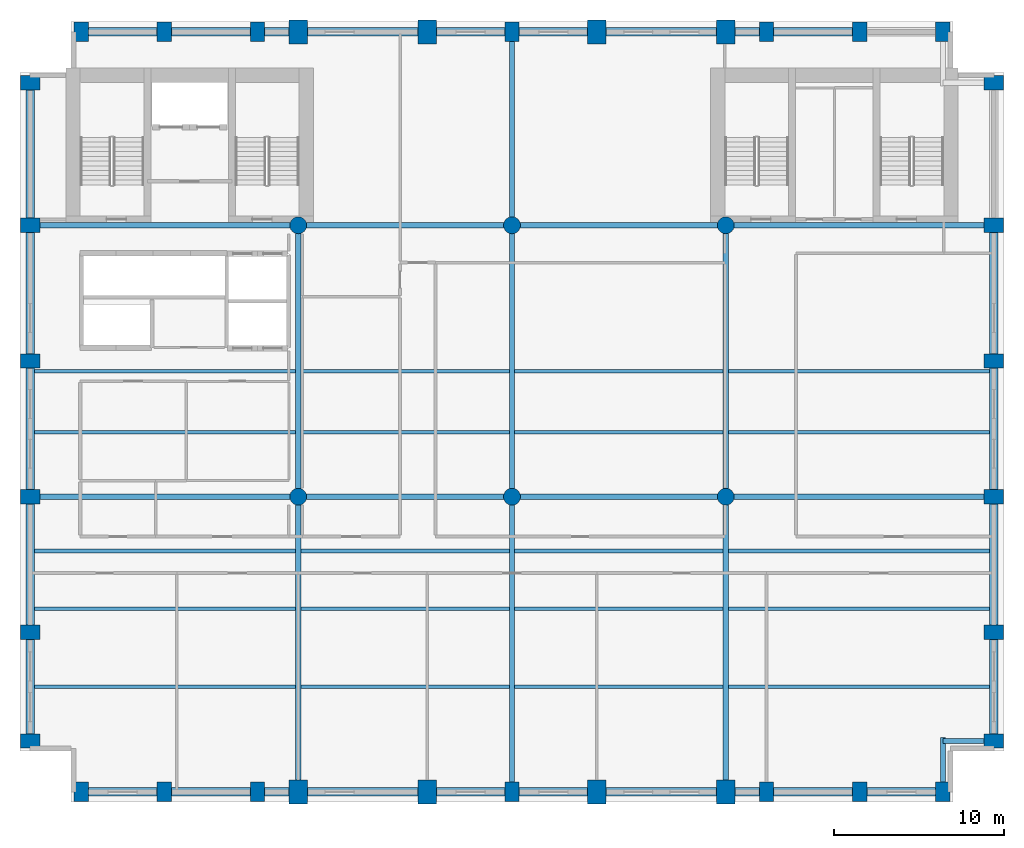
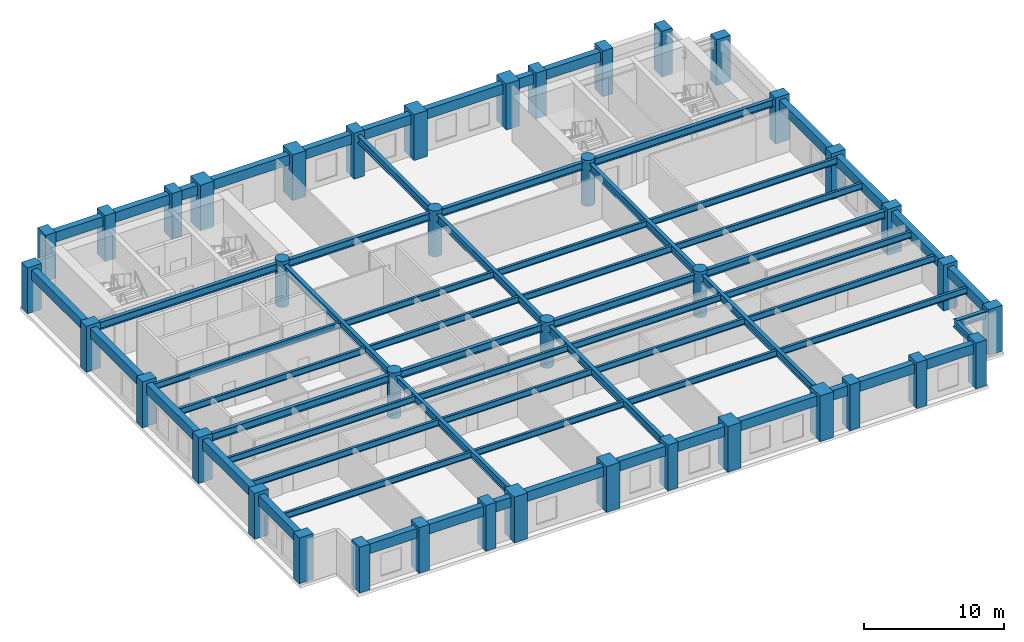
# One storey, part 1 of 8: 65 beams, 40 columns.
"""IFC4 building model written with IfcOpenShell, lengths in metres."""

from ifc_helpers import new_model, si_unit, direction, frame, origin, origin_2d, place, context, subcontext, project, spatial, rectangle, circle, i_section, extrude, material, material_profile, profile_set, type_object, element, save


model = new_model("IFC4")

# Units and contexts
model_context = context("Model", 3, precision=1e-05, world=origin(), true_north=direction((0.0, 1.0)))
body_context = subcontext(model_context, "Body", "Model", "MODEL_VIEW")
ifc_project = project(units=[si_unit("LENGTHUNIT", "METRE"), si_unit("AREAUNIT", "SQUARE_METRE"), si_unit("VOLUMEUNIT", "CUBIC_METRE"), si_unit("PLANEANGLEUNIT", "RADIAN"), si_unit("MASSUNIT", "GRAM", prefix="KILO")], contexts=[model_context])

# Site, building, storey
site_placement = place(None, origin())
site = spatial("IfcSite", under=ifc_project, at=site_placement, CompositionType="ELEMENT")
building_placement = place(site_placement, origin())
building = spatial("IfcBuilding", under=site, at=building_placement, Name="Sulina Concourse Tower", CompositionType="ELEMENT")
storey_placement = place(building_placement, frame((0.0, 0.0, 136.60009765625)))
storey = spatial("IfcBuildingStorey", under=building, at=storey_placement, Name="L33", CompositionType="ELEMENT", Elevation=136.60009765625)

# Columns
ifc_material_1 = material(Name="Concrete C60/75", Category="concrete")
ifc_material_profile_1 = material_profile(ifc_material_1, circle(Radius=0.5, at=origin_2d()), Name="RC D1000")
ifc_profile_set_1 = profile_set([ifc_material_profile_1], Name="Concrete C60/75")
column_type_1 = type_object("IfcColumnType", Name="Lower Interior Circular Column D1000", PredefinedType="COLUMN", material=ifc_profile_set_1)
for number, where, z_axis, x_axis, name in (
    (1, (16.39990234375, 18.0, 0.0), (0.0, 0.0, 1.0), (1.0, 0.0, 0.0), "L33 structural column IC-M-164"),
    (2, (16.39990234375, 34.0, 0.0), (0.0, 0.0, 1.0), (1.0, 0.0, 0.0), "L33 structural column IC-N-164"),
    (3, (29.0, 18.0, 0.0), (0.0, 0.0, 1.0), (1.0, 0.0, 0.0), "L33 structural column IC-M-290"),
    (4, (29.0, 34.0, 0.0), (0.0, 0.0, 1.0), (1.0, 0.0, 0.0), "L33 structural column IC-N-290"),
    (5, (41.60009765625, 18.0, 0.0), (0.0, 0.0, 1.0), (1.0, 0.0, 0.0), "L33 structural column IC-M-416"),
    (6, (41.60009765625, 34.0, 0.0), (0.0, 0.0, 1.0), (1.0, 0.0, 0.0), "L33 structural column IC-N-416"),
):
    element("IfcColumn", number, at=place(storey_placement, frame(where, z_axis=z_axis, x_axis=x_axis)), inside=storey, type_object=column_type_1, Name=name, PredefinedType="COLUMN", context=body_context, shape_type="SweptSolid", body=[
        extrude(circle(Radius=0.5, at=origin_2d()), origin(), (0.0, 0.0, 1.0), 4.0),
    ])
ifc_material_2 = material(Name="Concrete C60/75", Category="concrete")
ifc_material_profile_2 = material_profile(ifc_material_2, rectangle(XDim=1.10009765625, YDim=1.39990234375, at=origin_2d()), Name="RC 1100x1400")
ifc_profile_set_2 = profile_set([ifc_material_profile_2], Name="Concrete C60/75")
column_type_2 = type_object("IfcColumnType", Name="Mid-Rise Portal Column 1100x1400", PredefinedType="COLUMN", material=ifc_profile_set_2)
for number, where, z_axis, x_axis, name in (
    (7, (16.39990234375, 0.60009765625, 0.0), (0.0, 0.0, 1.0), (1.0, 0.0, 0.0), "L33 structural column TP-S-164"),
    (8, (16.39990234375, 45.39990234375, 0.0), (0.0, 0.0, 1.0), (1.0, 0.0, 0.0), "L33 structural column TP-N-164"),
    (9, (24.0, 0.60009765625, 0.0), (0.0, 0.0, 1.0), (1.0, 0.0, 0.0), "L33 structural column TP-S-240"),
    (10, (24.0, 45.39990234375, 0.0), (0.0, 0.0, 1.0), (1.0, 0.0, 0.0), "L33 structural column TP-N-240"),
    (11, (34.0, 0.60009765625, 0.0), (0.0, 0.0, 1.0), (1.0, 0.0, 0.0), "L33 structural column TP-S-340"),
    (12, (34.0, 45.39990234375, 0.0), (0.0, 0.0, 1.0), (1.0, 0.0, 0.0), "L33 structural column TP-N-340"),
    (13, (41.60009765625, 0.60009765625, 0.0), (0.0, 0.0, 1.0), (1.0, 0.0, 0.0), "L33 structural column TP-S-416"),
    (14, (41.60009765625, 45.39990234375, 0.0), (0.0, 0.0, 1.0), (1.0, 0.0, 0.0), "L33 structural column TP-N-416"),
):
    element("IfcColumn", number, at=place(storey_placement, frame(where, z_axis=z_axis, x_axis=x_axis)), inside=storey, type_object=column_type_2, Name=name, PredefinedType="COLUMN", context=body_context, shape_type="SweptSolid", body=[
        extrude(rectangle(XDim=1.10009765625, YDim=1.39990234375, at=origin_2d()), origin(), (0.0, 0.0, 1.0), 4.0),
    ])
ifc_material_3 = material(Name="Precast concrete C60/75", Category="concrete")
ifc_material_profile_3 = material_profile(ifc_material_3, rectangle(XDim=0.85009765625, YDim=1.14990234375, at=origin_2d()), Name="PC 850x1150")
ifc_profile_set_3 = profile_set([ifc_material_profile_3], Name="Precast concrete C60/75")
column_type_3 = type_object("IfcColumnType", Name="Precast Tube Pier Zone 2 850x1150", PredefinedType="COLUMN", material=ifc_profile_set_3)
for number, where, z_axis, x_axis, name in (
    (15, (3.60009765625, 0.60009765625, 0.0), (0.0, 0.0, 1.0), (1.0, 0.0, 0.0), "L33 structural column TP-S-36"),
    (16, (3.60009765625, 45.39990234375, 0.0), (0.0, 0.0, 1.0), (1.0, 0.0, 0.0), "L33 structural column TP-N-36"),
    (17, (8.5, 0.60009765625, 0.0), (0.0, 0.0, 1.0), (1.0, 0.0, 0.0), "L33 structural column TP-S-85"),
    (18, (8.5, 45.39990234375, 0.0), (0.0, 0.0, 1.0), (1.0, 0.0, 0.0), "L33 structural column TP-N-85"),
    (19, (14.0, 0.60009765625, 0.0), (0.0, 0.0, 1.0), (1.0, 0.0, 0.0), "L33 structural column TP-S-140"),
    (20, (14.0, 45.39990234375, 0.0), (0.0, 0.0, 1.0), (1.0, 0.0, 0.0), "L33 structural column TP-N-140"),
    (21, (29.0, 0.60009765625, 0.0), (0.0, 0.0, 1.0), (1.0, 0.0, 0.0), "L33 structural column TP-S-290"),
    (22, (29.0, 45.39990234375, 0.0), (0.0, 0.0, 1.0), (1.0, 0.0, 0.0), "L33 structural column TP-N-290"),
    (23, (44.0, 0.60009765625, 0.0), (0.0, 0.0, 1.0), (1.0, 0.0, 0.0), "L33 structural column TP-S-440"),
    (24, (44.0, 45.39990234375, 0.0), (0.0, 0.0, 1.0), (1.0, 0.0, 0.0), "L33 structural column TP-N-440"),
    (25, (49.5, 0.60009765625, 0.0), (0.0, 0.0, 1.0), (1.0, 0.0, 0.0), "L33 structural column TP-S-495"),
    (26, (49.5, 45.39990234375, 0.0), (0.0, 0.0, 1.0), (1.0, 0.0, 0.0), "L33 structural column TP-N-495"),
    (27, (54.39990234375, 0.60009765625, 0.0), (0.0, 0.0, 1.0), (1.0, 0.0, 0.0), "L33 structural column TP-S-544"),
    (28, (54.39990234375, 45.39990234375, 0.0), (0.0, 0.0, 1.0), (1.0, 0.0, 0.0), "L33 structural column TP-N-544"),
    (29, (0.60009765625, 3.60009765625, 0.0), (0.0, 0.0, 1.0), (0.0, 1.0, 0.0), "L33 structural column TP-W-36"),
    (30, (57.39990234375, 3.60009765625, 0.0), (0.0, 0.0, 1.0), (0.0, 1.0, 0.0), "L33 structural column TP-E-36"),
    (31, (0.60009765625, 10.0, 0.0), (0.0, 0.0, 1.0), (0.0, 1.0, 0.0), "L33 structural column TP-W-100"),
    (32, (57.39990234375, 10.0, 0.0), (0.0, 0.0, 1.0), (0.0, 1.0, 0.0), "L33 structural column TP-E-100"),
    (33, (0.60009765625, 18.0, 0.0), (0.0, 0.0, 1.0), (0.0, 1.0, 0.0), "L33 structural column TP-W-180"),
    (34, (57.39990234375, 18.0, 0.0), (0.0, 0.0, 1.0), (0.0, 1.0, 0.0), "L33 structural column TP-E-180"),
    (35, (0.60009765625, 26.0, 0.0), (0.0, 0.0, 1.0), (0.0, 1.0, 0.0), "L33 structural column TP-W-260"),
    (36, (57.39990234375, 26.0, 0.0), (0.0, 0.0, 1.0), (0.0, 1.0, 0.0), "L33 structural column TP-E-260"),
    (37, (0.60009765625, 34.0, 0.0), (0.0, 0.0, 1.0), (0.0, 1.0, 0.0), "L33 structural column TP-W-340"),
    (38, (57.39990234375, 34.0, 0.0), (0.0, 0.0, 1.0), (0.0, 1.0, 0.0), "L33 structural column TP-E-340"),
    (39, (0.60009765625, 42.39990234375, 0.0), (0.0, 0.0, 1.0), (0.0, 1.0, 0.0), "L33 structural column TP-W-424"),
    (40, (57.39990234375, 42.39990234375, 0.0), (0.0, 0.0, 1.0), (0.0, 1.0, 0.0), "L33 structural column TP-E-424"),
):
    element("IfcColumn", number, at=place(storey_placement, frame(where, z_axis=z_axis, x_axis=x_axis)), inside=storey, type_object=column_type_3, Name=name, PredefinedType="COLUMN", context=body_context, shape_type="SweptSolid", body=[
        extrude(rectangle(XDim=0.85009765625, YDim=1.14990234375, at=origin_2d()), origin(), (0.0, 0.0, 1.0), 4.0),
    ])

# Beams
ifc_material_4 = material(Name="Steel S355", Category="steel")
ifc_material_profile_4 = material_profile(ifc_material_4, i_section(OverallWidth=0.2099609375, OverallDepth=0.550048828125, WebThickness=0.010986328125, FlangeThickness=0.01708984375, at=origin_2d()), Name="IPE 550")
ifc_profile_set_4 = profile_set([ifc_material_profile_4], Name="Steel S355")
beam_type_1 = type_object("IfcBeamType", Name="Composite Floor Joist IPE550", PredefinedType="JOIST", material=ifc_profile_set_4)
beam_1_placement = place(storey_placement, frame((0.85009765625, 6.800048828125, 3.449951171875), z_axis=(1.0, 0.0, 0.0), x_axis=(0.0, 1.0, 0.0)))
element("IfcBeam", 41, at=beam_1_placement, inside=storey, type_object=beam_type_1, Name="FJ-J06-1-L33", PredefinedType="JOIST", context=body_context, shape_type="SweptSolid", body=[
    extrude(i_section(OverallWidth=0.2099609375, OverallDepth=0.550048828125, WebThickness=0.010986328125, FlangeThickness=0.01708984375, at=origin_2d()), origin(), (0.0, 0.0, 1.0), 15.39990234375),
])
for number, where, z_axis, x_axis, name in (
    (42, (16.550048828125, 6.800048828125, 3.449951171875), (1.0, 0.0, 0.0), (0.0, 1.0, 0.0), "FJ-J06-2-L33"),
    (43, (29.14990234375, 6.800048828125, 3.449951171875), (1.0, 0.0, 0.0), (0.0, 1.0, 0.0), "FJ-J06-3-L33"),
):
    element("IfcBeam", number, at=place(storey_placement, frame(where, z_axis=z_axis, x_axis=x_axis)), inside=storey, type_object=beam_type_1, Name=name, PredefinedType="JOIST", context=body_context, shape_type="SweptSolid", body=[
        extrude(i_section(OverallWidth=0.2099609375, OverallDepth=0.550048828125, WebThickness=0.010986328125, FlangeThickness=0.01708984375, at=origin_2d()), origin(), (0.0, 0.0, 1.0), 12.300048828125),
    ])
for number, where, z_axis, x_axis, name in (
    (44, (41.75, 6.800048828125, 3.449951171875), (1.0, 0.0, 0.0), (0.0, 1.0, 0.0), "FJ-J06-4-L33"),
    (45, (0.85009765625, 11.39990234375, 3.449951171875), (1.0, 0.0, 0.0), (0.0, 1.0, 0.0), "FJ-J11-1-L33"),
):
    element("IfcBeam", number, at=place(storey_placement, frame(where, z_axis=z_axis, x_axis=x_axis)), inside=storey, type_object=beam_type_1, Name=name, PredefinedType="JOIST", context=body_context, shape_type="SweptSolid", body=[
        extrude(i_section(OverallWidth=0.2099609375, OverallDepth=0.550048828125, WebThickness=0.010986328125, FlangeThickness=0.01708984375, at=origin_2d()), origin(), (0.0, 0.0, 1.0), 15.39990234375),
    ])
for number, where, z_axis, x_axis, name in (
    (46, (16.550048828125, 11.39990234375, 3.449951171875), (1.0, 0.0, 0.0), (0.0, 1.0, 0.0), "FJ-J11-2-L33"),
    (47, (29.14990234375, 11.39990234375, 3.449951171875), (1.0, 0.0, 0.0), (0.0, 1.0, 0.0), "FJ-J11-3-L33"),
):
    element("IfcBeam", number, at=place(storey_placement, frame(where, z_axis=z_axis, x_axis=x_axis)), inside=storey, type_object=beam_type_1, Name=name, PredefinedType="JOIST", context=body_context, shape_type="SweptSolid", body=[
        extrude(i_section(OverallWidth=0.2099609375, OverallDepth=0.550048828125, WebThickness=0.010986328125, FlangeThickness=0.01708984375, at=origin_2d()), origin(), (0.0, 0.0, 1.0), 12.300048828125),
    ])
for number, where, z_axis, x_axis, name in (
    (48, (41.75, 11.39990234375, 3.449951171875), (1.0, 0.0, 0.0), (0.0, 1.0, 0.0), "FJ-J11-4-L33"),
    (49, (0.85009765625, 14.800048828125, 3.449951171875), (1.0, 0.0, 0.0), (0.0, 1.0, 0.0), "FJ-J15-1-L33"),
):
    element("IfcBeam", number, at=place(storey_placement, frame(where, z_axis=z_axis, x_axis=x_axis)), inside=storey, type_object=beam_type_1, Name=name, PredefinedType="JOIST", context=body_context, shape_type="SweptSolid", body=[
        extrude(i_section(OverallWidth=0.2099609375, OverallDepth=0.550048828125, WebThickness=0.010986328125, FlangeThickness=0.01708984375, at=origin_2d()), origin(), (0.0, 0.0, 1.0), 15.39990234375),
    ])
for number, where, z_axis, x_axis, name in (
    (50, (16.550048828125, 14.800048828125, 3.449951171875), (1.0, 0.0, 0.0), (0.0, 1.0, 0.0), "FJ-J15-2-L33"),
    (51, (29.14990234375, 14.800048828125, 3.449951171875), (1.0, 0.0, 0.0), (0.0, 1.0, 0.0), "FJ-J15-3-L33"),
):
    element("IfcBeam", number, at=place(storey_placement, frame(where, z_axis=z_axis, x_axis=x_axis)), inside=storey, type_object=beam_type_1, Name=name, PredefinedType="JOIST", context=body_context, shape_type="SweptSolid", body=[
        extrude(i_section(OverallWidth=0.2099609375, OverallDepth=0.550048828125, WebThickness=0.010986328125, FlangeThickness=0.01708984375, at=origin_2d()), origin(), (0.0, 0.0, 1.0), 12.300048828125),
    ])
for number, where, z_axis, x_axis, name in (
    (52, (41.75, 14.800048828125, 3.449951171875), (1.0, 0.0, 0.0), (0.0, 1.0, 0.0), "FJ-J15-4-L33"),
    (53, (0.85009765625, 21.800048828125, 3.449951171875), (1.0, 0.0, 0.0), (0.0, 1.0, 0.0), "FJ-J22-1-L33"),
):
    element("IfcBeam", number, at=place(storey_placement, frame(where, z_axis=z_axis, x_axis=x_axis)), inside=storey, type_object=beam_type_1, Name=name, PredefinedType="JOIST", context=body_context, shape_type="SweptSolid", body=[
        extrude(i_section(OverallWidth=0.2099609375, OverallDepth=0.550048828125, WebThickness=0.010986328125, FlangeThickness=0.01708984375, at=origin_2d()), origin(), (0.0, 0.0, 1.0), 15.39990234375),
    ])
for number, where, z_axis, x_axis, name in (
    (54, (16.550048828125, 21.800048828125, 3.449951171875), (1.0, 0.0, 0.0), (0.0, 1.0, 0.0), "FJ-J22-2-L33"),
    (55, (29.14990234375, 21.800048828125, 3.449951171875), (1.0, 0.0, 0.0), (0.0, 1.0, 0.0), "FJ-J22-3-L33"),
):
    element("IfcBeam", number, at=place(storey_placement, frame(where, z_axis=z_axis, x_axis=x_axis)), inside=storey, type_object=beam_type_1, Name=name, PredefinedType="JOIST", context=body_context, shape_type="SweptSolid", body=[
        extrude(i_section(OverallWidth=0.2099609375, OverallDepth=0.550048828125, WebThickness=0.010986328125, FlangeThickness=0.01708984375, at=origin_2d()), origin(), (0.0, 0.0, 1.0), 12.300048828125),
    ])
for number, where, z_axis, x_axis, name in (
    (56, (41.75, 21.800048828125, 3.449951171875), (1.0, 0.0, 0.0), (0.0, 1.0, 0.0), "FJ-J22-4-L33"),
    (57, (0.85009765625, 25.39990234375, 3.449951171875), (1.0, 0.0, 0.0), (0.0, 1.0, 0.0), "FJ-J25-1-L33"),
):
    element("IfcBeam", number, at=place(storey_placement, frame(where, z_axis=z_axis, x_axis=x_axis)), inside=storey, type_object=beam_type_1, Name=name, PredefinedType="JOIST", context=body_context, shape_type="SweptSolid", body=[
        extrude(i_section(OverallWidth=0.2099609375, OverallDepth=0.550048828125, WebThickness=0.010986328125, FlangeThickness=0.01708984375, at=origin_2d()), origin(), (0.0, 0.0, 1.0), 15.39990234375),
    ])
for number, where, z_axis, x_axis, name in (
    (58, (16.550048828125, 25.39990234375, 3.449951171875), (1.0, 0.0, 0.0), (0.0, 1.0, 0.0), "FJ-J25-2-L33"),
    (59, (29.14990234375, 25.39990234375, 3.449951171875), (1.0, 0.0, 0.0), (0.0, 1.0, 0.0), "FJ-J25-3-L33"),
):
    element("IfcBeam", number, at=place(storey_placement, frame(where, z_axis=z_axis, x_axis=x_axis)), inside=storey, type_object=beam_type_1, Name=name, PredefinedType="JOIST", context=body_context, shape_type="SweptSolid", body=[
        extrude(i_section(OverallWidth=0.2099609375, OverallDepth=0.550048828125, WebThickness=0.010986328125, FlangeThickness=0.01708984375, at=origin_2d()), origin(), (0.0, 0.0, 1.0), 12.300048828125),
    ])
beam_2_placement = place(storey_placement, frame((41.75, 25.39990234375, 3.449951171875), z_axis=(1.0, 0.0, 0.0), x_axis=(0.0, 1.0, 0.0)))
element("IfcBeam", 60, at=beam_2_placement, inside=storey, type_object=beam_type_1, Name="FJ-J25-4-L33", PredefinedType="JOIST", context=body_context, shape_type="SweptSolid", body=[
    extrude(i_section(OverallWidth=0.2099609375, OverallDepth=0.550048828125, WebThickness=0.010986328125, FlangeThickness=0.01708984375, at=origin_2d()), origin(), (0.0, 0.0, 1.0), 15.39990234375),
])
ifc_material_5 = material(Name="Steel S355", Category="steel")
ifc_material_profile_5 = material_profile(ifc_material_5, i_section(OverallWidth=0.300048828125, OverallDepth=0.64990234375, WebThickness=0.01611328125, FlangeThickness=0.031005859375, at=origin_2d()), Name="HE 650 B")
ifc_profile_set_5 = profile_set([ifc_material_profile_5], Name="Steel S355")
beam_type_2 = type_object("IfcBeamType", Name="Floor Primary Girder Zone 2 HE650B", PredefinedType="BEAM", material=ifc_profile_set_5)
beam_3_placement = place(storey_placement, frame((54.39990234375, 3.60009765625, 3.39990234375), z_axis=(1.0, 0.0, 0.0), x_axis=(0.0, 1.0, 0.0)))
element("IfcBeam", 61, at=beam_3_placement, inside=storey, type_object=beam_type_2, Name="TIE-SE-L33", PredefinedType="BEAM", context=body_context, shape_type="SweptSolid", body=[
    extrude(i_section(OverallWidth=0.300048828125, OverallDepth=0.64990234375, WebThickness=0.01611328125, FlangeThickness=0.031005859375, at=origin_2d()), origin(), (0.0, 0.0, 1.0), 2.59521484375),
])
beam_4_placement = place(storey_placement, frame((54.39990234375, 1.0048828125, 3.39990234375), z_axis=(0.0, 1.0, 0.0), x_axis=(-1.0, 0.0, 0.0)))
element("IfcBeam", 62, at=beam_4_placement, inside=storey, type_object=beam_type_2, Name="TIE-SES-L33", PredefinedType="BEAM", context=body_context, shape_type="SweptSolid", body=[
    extrude(i_section(OverallWidth=0.300048828125, OverallDepth=0.64990234375, WebThickness=0.01611328125, FlangeThickness=0.031005859375, at=origin_2d()), origin(), (0.0, 0.0, 1.0), 2.795166015625),
])
beam_5_placement = place(storey_placement, frame((1.0048828125, 18.0, 3.39990234375), z_axis=(1.0, 0.0, 0.0), x_axis=(0.0, 1.0, 0.0)))
element("IfcBeam", 63, at=beam_5_placement, inside=storey, type_object=beam_type_2, Name="FG-EW1-L33", PredefinedType="BEAM", context=body_context, shape_type="SweptSolid", body=[
    extrude(i_section(OverallWidth=0.300048828125, OverallDepth=0.64990234375, WebThickness=0.01611328125, FlangeThickness=0.031005859375, at=origin_2d()), origin(), (0.0, 0.0, 1.0), 14.9150390625),
])
for number, where, z_axis, x_axis, name in (
    (64, (16.8798828125, 18.0, 3.39990234375), (1.0, 0.0, 0.0), (0.0, 1.0, 0.0), "FG-EW2-L33"),
    (65, (29.47998046875, 18.0, 3.39990234375), (1.0, 0.0, 0.0), (0.0, 1.0, 0.0), "FG-EW3-L33"),
):
    element("IfcBeam", number, at=place(storey_placement, frame(where, z_axis=z_axis, x_axis=x_axis)), inside=storey, type_object=beam_type_2, Name=name, PredefinedType="BEAM", context=body_context, shape_type="SweptSolid", body=[
        extrude(i_section(OverallWidth=0.300048828125, OverallDepth=0.64990234375, WebThickness=0.01611328125, FlangeThickness=0.031005859375, at=origin_2d()), origin(), (0.0, 0.0, 1.0), 11.64013671875),
    ])
for number, where, z_axis, x_axis, name in (
    (66, (42.080078125, 18.0, 3.39990234375), (1.0, 0.0, 0.0), (0.0, 1.0, 0.0), "FG-EW4-L33"),
    (67, (1.0048828125, 34.0, 3.39990234375), (1.0, 0.0, 0.0), (0.0, 1.0, 0.0), "FG-EWN1-L33"),
):
    element("IfcBeam", number, at=place(storey_placement, frame(where, z_axis=z_axis, x_axis=x_axis)), inside=storey, type_object=beam_type_2, Name=name, PredefinedType="BEAM", context=body_context, shape_type="SweptSolid", body=[
        extrude(i_section(OverallWidth=0.300048828125, OverallDepth=0.64990234375, WebThickness=0.01611328125, FlangeThickness=0.031005859375, at=origin_2d()), origin(), (0.0, 0.0, 1.0), 14.9150390625),
    ])
for number, where, z_axis, x_axis, name in (
    (68, (16.8798828125, 34.0, 3.39990234375), (1.0, 0.0, 0.0), (0.0, 1.0, 0.0), "FG-EWN2-L33"),
    (69, (29.47998046875, 34.0, 3.39990234375), (1.0, 0.0, 0.0), (0.0, 1.0, 0.0), "FG-EWN3-L33"),
):
    element("IfcBeam", number, at=place(storey_placement, frame(where, z_axis=z_axis, x_axis=x_axis)), inside=storey, type_object=beam_type_2, Name=name, PredefinedType="BEAM", context=body_context, shape_type="SweptSolid", body=[
        extrude(i_section(OverallWidth=0.300048828125, OverallDepth=0.64990234375, WebThickness=0.01611328125, FlangeThickness=0.031005859375, at=origin_2d()), origin(), (0.0, 0.0, 1.0), 11.64013671875),
    ])
beam_6_placement = place(storey_placement, frame((42.080078125, 34.0, 3.39990234375), z_axis=(1.0, 0.0, 0.0), x_axis=(0.0, 1.0, 0.0)))
element("IfcBeam", 70, at=beam_6_placement, inside=storey, type_object=beam_type_2, Name="FG-EWN4-L33", PredefinedType="BEAM", context=body_context, shape_type="SweptSolid", body=[
    extrude(i_section(OverallWidth=0.300048828125, OverallDepth=0.64990234375, WebThickness=0.01611328125, FlangeThickness=0.031005859375, at=origin_2d()), origin(), (0.0, 0.0, 1.0), 14.9150390625),
])
beam_7_placement = place(storey_placement, frame((16.39990234375, 1.1298828125, 3.39990234375), z_axis=(0.0, 1.0, 0.0), x_axis=(-1.0, 0.0, 0.0)))
element("IfcBeam", 71, at=beam_7_placement, inside=storey, type_object=beam_type_2, Name="FG-NSA-16-L33", PredefinedType="BEAM", context=body_context, shape_type="SweptSolid", body=[
    extrude(i_section(OverallWidth=0.300048828125, OverallDepth=0.64990234375, WebThickness=0.01611328125, FlangeThickness=0.031005859375, at=origin_2d()), origin(), (0.0, 0.0, 1.0), 16.39013671875),
])
beam_8_placement = place(storey_placement, frame((16.39990234375, 18.47998046875, 3.39990234375), z_axis=(0.0, 1.0, 0.0), x_axis=(-1.0, 0.0, 0.0)))
element("IfcBeam", 72, at=beam_8_placement, inside=storey, type_object=beam_type_2, Name="FG-NSB-16-L33", PredefinedType="BEAM", context=body_context, shape_type="SweptSolid", body=[
    extrude(i_section(OverallWidth=0.300048828125, OverallDepth=0.64990234375, WebThickness=0.01611328125, FlangeThickness=0.031005859375, at=origin_2d()), origin(), (0.0, 0.0, 1.0), 15.0400390625),
])
beam_9_placement = place(storey_placement, frame((29.0, 1.0048828125, 3.39990234375), z_axis=(0.0, 1.0, 0.0), x_axis=(-1.0, 0.0, 0.0)))
element("IfcBeam", 73, at=beam_9_placement, inside=storey, type_object=beam_type_2, Name="FG-NSA-29-L33", PredefinedType="BEAM", context=body_context, shape_type="SweptSolid", body=[
    extrude(i_section(OverallWidth=0.300048828125, OverallDepth=0.64990234375, WebThickness=0.01611328125, FlangeThickness=0.031005859375, at=origin_2d()), origin(), (0.0, 0.0, 1.0), 16.51513671875),
])
beam_10_placement = place(storey_placement, frame((29.0, 18.47998046875, 3.39990234375), z_axis=(0.0, 1.0, 0.0), x_axis=(-1.0, 0.0, 0.0)))
element("IfcBeam", 74, at=beam_10_placement, inside=storey, type_object=beam_type_2, Name="FG-NSB-29-L33", PredefinedType="BEAM", context=body_context, shape_type="SweptSolid", body=[
    extrude(i_section(OverallWidth=0.300048828125, OverallDepth=0.64990234375, WebThickness=0.01611328125, FlangeThickness=0.031005859375, at=origin_2d()), origin(), (0.0, 0.0, 1.0), 15.0400390625),
])
beam_11_placement = place(storey_placement, frame((29.0, 34.47998046875, 3.39990234375), z_axis=(0.0, 1.0, 0.0), x_axis=(-1.0, 0.0, 0.0)))
element("IfcBeam", 75, at=beam_11_placement, inside=storey, type_object=beam_type_2, Name="FG-NSC-29-L33", PredefinedType="BEAM", context=body_context, shape_type="SweptSolid", body=[
    extrude(i_section(OverallWidth=0.300048828125, OverallDepth=0.64990234375, WebThickness=0.01611328125, FlangeThickness=0.031005859375, at=origin_2d()), origin(), (0.0, 0.0, 1.0), 10.51513671875),
])
beam_12_placement = place(storey_placement, frame((41.60009765625, 1.1298828125, 3.39990234375), z_axis=(0.0, 1.0, 0.0), x_axis=(-1.0, 0.0, 0.0)))
element("IfcBeam", 76, at=beam_12_placement, inside=storey, type_object=beam_type_2, Name="FG-NSA-41-L33", PredefinedType="BEAM", context=body_context, shape_type="SweptSolid", body=[
    extrude(i_section(OverallWidth=0.300048828125, OverallDepth=0.64990234375, WebThickness=0.01611328125, FlangeThickness=0.031005859375, at=origin_2d()), origin(), (0.0, 0.0, 1.0), 16.39013671875),
])
beam_13_placement = place(storey_placement, frame((41.60009765625, 18.47998046875, 3.39990234375), z_axis=(0.0, 1.0, 0.0), x_axis=(-1.0, 0.0, 0.0)))
element("IfcBeam", 77, at=beam_13_placement, inside=storey, type_object=beam_type_2, Name="FG-NSB-41-L33", PredefinedType="BEAM", context=body_context, shape_type="SweptSolid", body=[
    extrude(i_section(OverallWidth=0.300048828125, OverallDepth=0.64990234375, WebThickness=0.01611328125, FlangeThickness=0.031005859375, at=origin_2d()), origin(), (0.0, 0.0, 1.0), 15.0400390625),
])
ifc_material_6 = material(Name="Precast concrete C50/60", Category="concrete")
ifc_material_profile_6 = material_profile(ifc_material_6, rectangle(XDim=0.5, YDim=0.85009765625, at=origin_2d()), Name="RC 500x850")
ifc_profile_set_6 = profile_set([ifc_material_profile_6], Name="Precast concrete C50/60")
beam_type_3 = type_object("IfcBeamType", Name="Lower Precast Spandrel Edge Beam 500x850", PredefinedType="BEAM", material=ifc_profile_set_6)
beam_14_placement = place(storey_placement, frame((4.0048828125, 0.60009765625, 3.2998046875), z_axis=(1.0, 0.0, 0.0), x_axis=(0.0, 1.0, 0.0)))
element("IfcBeam", 78, at=beam_14_placement, inside=storey, type_object=beam_type_3, Name="SP-S1-L33", PredefinedType="BEAM", context=body_context, shape_type="SweptSolid", body=[
    extrude(rectangle(XDim=0.5, YDim=0.85009765625, at=origin_2d()), origin(), (0.0, 0.0, 1.0), 4.090087890625),
])
beam_15_placement = place(storey_placement, frame((8.905029296875, 0.60009765625, 3.2998046875), z_axis=(1.0, 0.0, 0.0), x_axis=(0.0, 1.0, 0.0)))
element("IfcBeam", 79, at=beam_15_placement, inside=storey, type_object=beam_type_3, Name="SP-S2-L33", PredefinedType="BEAM", context=body_context, shape_type="SweptSolid", body=[
    extrude(rectangle(XDim=0.5, YDim=0.85009765625, at=origin_2d()), origin(), (0.0, 0.0, 1.0), 4.68994140625),
])
beam_16_placement = place(storey_placement, frame((14.405029296875, 0.60009765625, 3.2998046875), z_axis=(1.0, 0.0, 0.0), x_axis=(0.0, 1.0, 0.0)))
element("IfcBeam", 80, at=beam_16_placement, inside=storey, type_object=beam_type_3, Name="SP-S3-L33", PredefinedType="BEAM", context=body_context, shape_type="SweptSolid", body=[
    extrude(rectangle(XDim=0.5, YDim=0.85009765625, at=origin_2d()), origin(), (0.0, 0.0, 1.0), 1.465087890625),
])
beam_17_placement = place(storey_placement, frame((16.929931640625, 0.60009765625, 3.2998046875), z_axis=(1.0, 0.0, 0.0), x_axis=(0.0, 1.0, 0.0)))
element("IfcBeam", 81, at=beam_17_placement, inside=storey, type_object=beam_type_3, Name="SP-S4-L33", PredefinedType="BEAM", context=body_context, shape_type="SweptSolid", body=[
    extrude(rectangle(XDim=0.5, YDim=0.85009765625, at=origin_2d()), origin(), (0.0, 0.0, 1.0), 6.5400390625),
])
for number, where, z_axis, x_axis, name in (
    (82, (24.530029296875, 0.60009765625, 3.2998046875), (1.0, 0.0, 0.0), (0.0, 1.0, 0.0), "SP-S5-L33"),
    (83, (29.405029296875, 0.60009765625, 3.2998046875), (1.0, 0.0, 0.0), (0.0, 1.0, 0.0), "SP-S6-L33"),
):
    element("IfcBeam", number, at=place(storey_placement, frame(where, z_axis=z_axis, x_axis=x_axis)), inside=storey, type_object=beam_type_3, Name=name, PredefinedType="BEAM", context=body_context, shape_type="SweptSolid", body=[
        extrude(rectangle(XDim=0.5, YDim=0.85009765625, at=origin_2d()), origin(), (0.0, 0.0, 1.0), 4.06494140625),
    ])
beam_18_placement = place(storey_placement, frame((34.530029296875, 0.60009765625, 3.2998046875), z_axis=(1.0, 0.0, 0.0), x_axis=(0.0, 1.0, 0.0)))
element("IfcBeam", 84, at=beam_18_placement, inside=storey, type_object=beam_type_3, Name="SP-S7-L33", PredefinedType="BEAM", context=body_context, shape_type="SweptSolid", body=[
    extrude(rectangle(XDim=0.5, YDim=0.85009765625, at=origin_2d()), origin(), (0.0, 0.0, 1.0), 6.5400390625),
])
beam_19_placement = place(storey_placement, frame((42.1298828125, 0.60009765625, 3.2998046875), z_axis=(1.0, 0.0, 0.0), x_axis=(0.0, 1.0, 0.0)))
element("IfcBeam", 85, at=beam_19_placement, inside=storey, type_object=beam_type_3, Name="SP-S8-L33", PredefinedType="BEAM", context=body_context, shape_type="SweptSolid", body=[
    extrude(rectangle(XDim=0.5, YDim=0.85009765625, at=origin_2d()), origin(), (0.0, 0.0, 1.0), 1.465087890625),
])
beam_20_placement = place(storey_placement, frame((44.405029296875, 0.60009765625, 3.2998046875), z_axis=(1.0, 0.0, 0.0), x_axis=(0.0, 1.0, 0.0)))
element("IfcBeam", 86, at=beam_20_placement, inside=storey, type_object=beam_type_3, Name="SP-S9-L33", PredefinedType="BEAM", context=body_context, shape_type="SweptSolid", body=[
    extrude(rectangle(XDim=0.5, YDim=0.85009765625, at=origin_2d()), origin(), (0.0, 0.0, 1.0), 4.68994140625),
])
for number, where, z_axis, x_axis, name in (
    (87, (49.905029296875, 0.60009765625, 3.2998046875), (1.0, 0.0, 0.0), (0.0, 1.0, 0.0), "SP-S10-L33"),
    (88, (4.0048828125, 45.39990234375, 3.2998046875), (1.0, 0.0, 0.0), (0.0, 1.0, 0.0), "SP-N1-L33"),
):
    element("IfcBeam", number, at=place(storey_placement, frame(where, z_axis=z_axis, x_axis=x_axis)), inside=storey, type_object=beam_type_3, Name=name, PredefinedType="BEAM", context=body_context, shape_type="SweptSolid", body=[
        extrude(rectangle(XDim=0.5, YDim=0.85009765625, at=origin_2d()), origin(), (0.0, 0.0, 1.0), 4.090087890625),
    ])
beam_21_placement = place(storey_placement, frame((8.905029296875, 45.39990234375, 3.2998046875), z_axis=(1.0, 0.0, 0.0), x_axis=(0.0, 1.0, 0.0)))
element("IfcBeam", 89, at=beam_21_placement, inside=storey, type_object=beam_type_3, Name="SP-N2-L33", PredefinedType="BEAM", context=body_context, shape_type="SweptSolid", body=[
    extrude(rectangle(XDim=0.5, YDim=0.85009765625, at=origin_2d()), origin(), (0.0, 0.0, 1.0), 4.68994140625),
])
beam_22_placement = place(storey_placement, frame((14.405029296875, 45.39990234375, 3.2998046875), z_axis=(1.0, 0.0, 0.0), x_axis=(0.0, 1.0, 0.0)))
element("IfcBeam", 90, at=beam_22_placement, inside=storey, type_object=beam_type_3, Name="SP-N3-L33", PredefinedType="BEAM", context=body_context, shape_type="SweptSolid", body=[
    extrude(rectangle(XDim=0.5, YDim=0.85009765625, at=origin_2d()), origin(), (0.0, 0.0, 1.0), 1.465087890625),
])
beam_23_placement = place(storey_placement, frame((16.929931640625, 45.39990234375, 3.2998046875), z_axis=(1.0, 0.0, 0.0), x_axis=(0.0, 1.0, 0.0)))
element("IfcBeam", 91, at=beam_23_placement, inside=storey, type_object=beam_type_3, Name="SP-N4-L33", PredefinedType="BEAM", context=body_context, shape_type="SweptSolid", body=[
    extrude(rectangle(XDim=0.5, YDim=0.85009765625, at=origin_2d()), origin(), (0.0, 0.0, 1.0), 6.5400390625),
])
for number, where, z_axis, x_axis, name in (
    (92, (24.530029296875, 45.39990234375, 3.2998046875), (1.0, 0.0, 0.0), (0.0, 1.0, 0.0), "SP-N5-L33"),
    (93, (29.405029296875, 45.39990234375, 3.2998046875), (1.0, 0.0, 0.0), (0.0, 1.0, 0.0), "SP-N6-L33"),
):
    element("IfcBeam", number, at=place(storey_placement, frame(where, z_axis=z_axis, x_axis=x_axis)), inside=storey, type_object=beam_type_3, Name=name, PredefinedType="BEAM", context=body_context, shape_type="SweptSolid", body=[
        extrude(rectangle(XDim=0.5, YDim=0.85009765625, at=origin_2d()), origin(), (0.0, 0.0, 1.0), 4.06494140625),
    ])
beam_24_placement = place(storey_placement, frame((34.530029296875, 45.39990234375, 3.2998046875), z_axis=(1.0, 0.0, 0.0), x_axis=(0.0, 1.0, 0.0)))
element("IfcBeam", 94, at=beam_24_placement, inside=storey, type_object=beam_type_3, Name="SP-N7-L33", PredefinedType="BEAM", context=body_context, shape_type="SweptSolid", body=[
    extrude(rectangle(XDim=0.5, YDim=0.85009765625, at=origin_2d()), origin(), (0.0, 0.0, 1.0), 6.5400390625),
])
beam_25_placement = place(storey_placement, frame((42.1298828125, 45.39990234375, 3.2998046875), z_axis=(1.0, 0.0, 0.0), x_axis=(0.0, 1.0, 0.0)))
element("IfcBeam", 95, at=beam_25_placement, inside=storey, type_object=beam_type_3, Name="SP-N8-L33", PredefinedType="BEAM", context=body_context, shape_type="SweptSolid", body=[
    extrude(rectangle(XDim=0.5, YDim=0.85009765625, at=origin_2d()), origin(), (0.0, 0.0, 1.0), 1.465087890625),
])
beam_26_placement = place(storey_placement, frame((44.405029296875, 45.39990234375, 3.2998046875), z_axis=(1.0, 0.0, 0.0), x_axis=(0.0, 1.0, 0.0)))
element("IfcBeam", 96, at=beam_26_placement, inside=storey, type_object=beam_type_3, Name="SP-N9-L33", PredefinedType="BEAM", context=body_context, shape_type="SweptSolid", body=[
    extrude(rectangle(XDim=0.5, YDim=0.85009765625, at=origin_2d()), origin(), (0.0, 0.0, 1.0), 4.68994140625),
])
beam_27_placement = place(storey_placement, frame((0.60009765625, 4.0048828125, 3.2998046875), z_axis=(0.0, 1.0, 0.0), x_axis=(-1.0, 0.0, 0.0)))
element("IfcBeam", 97, at=beam_27_placement, inside=storey, type_object=beam_type_3, Name="SP-W1-L33", PredefinedType="BEAM", context=body_context, shape_type="SweptSolid", body=[
    extrude(rectangle(XDim=0.5, YDim=0.85009765625, at=origin_2d()), origin(), (0.0, 0.0, 1.0), 5.590087890625),
])
for number, where, z_axis, x_axis, name in (
    (98, (0.60009765625, 10.405029296875, 3.2998046875), (0.0, 1.0, 0.0), (-1.0, 0.0, 0.0), "SP-W2-L33"),
    (99, (0.60009765625, 18.405029296875, 3.2998046875), (0.0, 1.0, 0.0), (-1.0, 0.0, 0.0), "SP-W3-L33"),
    (100, (0.60009765625, 26.405029296875, 3.2998046875), (0.0, 1.0, 0.0), (-1.0, 0.0, 0.0), "SP-W4-L33"),
):
    element("IfcBeam", number, at=place(storey_placement, frame(where, z_axis=z_axis, x_axis=x_axis)), inside=storey, type_object=beam_type_3, Name=name, PredefinedType="BEAM", context=body_context, shape_type="SweptSolid", body=[
        extrude(rectangle(XDim=0.5, YDim=0.85009765625, at=origin_2d()), origin(), (0.0, 0.0, 1.0), 7.18994140625),
    ])
beam_28_placement = place(storey_placement, frame((0.60009765625, 34.405029296875, 3.2998046875), z_axis=(0.0, 1.0, 0.0), x_axis=(-1.0, 0.0, 0.0)))
element("IfcBeam", 101, at=beam_28_placement, inside=storey, type_object=beam_type_3, Name="SP-W5-L33", PredefinedType="BEAM", context=body_context, shape_type="SweptSolid", body=[
    extrude(rectangle(XDim=0.5, YDim=0.85009765625, at=origin_2d()), origin(), (0.0, 0.0, 1.0), 7.590087890625),
])
beam_29_placement = place(storey_placement, frame((57.39990234375, 4.0048828125, 3.2998046875), z_axis=(0.0, 1.0, 0.0), x_axis=(-1.0, 0.0, 0.0)))
element("IfcBeam", 102, at=beam_29_placement, inside=storey, type_object=beam_type_3, Name="SP-E1-L33", PredefinedType="BEAM", context=body_context, shape_type="SweptSolid", body=[
    extrude(rectangle(XDim=0.5, YDim=0.85009765625, at=origin_2d()), origin(), (0.0, 0.0, 1.0), 5.590087890625),
])
for number, where, z_axis, x_axis, name in (
    (103, (57.39990234375, 10.405029296875, 3.2998046875), (0.0, 1.0, 0.0), (-1.0, 0.0, 0.0), "SP-E2-L33"),
    (104, (57.39990234375, 18.405029296875, 3.2998046875), (0.0, 1.0, 0.0), (-1.0, 0.0, 0.0), "SP-E3-L33"),
    (105, (57.39990234375, 26.405029296875, 3.2998046875), (0.0, 1.0, 0.0), (-1.0, 0.0, 0.0), "SP-E4-L33"),
):
    element("IfcBeam", number, at=place(storey_placement, frame(where, z_axis=z_axis, x_axis=x_axis)), inside=storey, type_object=beam_type_3, Name=name, PredefinedType="BEAM", context=body_context, shape_type="SweptSolid", body=[
        extrude(rectangle(XDim=0.5, YDim=0.85009765625, at=origin_2d()), origin(), (0.0, 0.0, 1.0), 7.18994140625),
    ])

save(model, "model.ifc")
